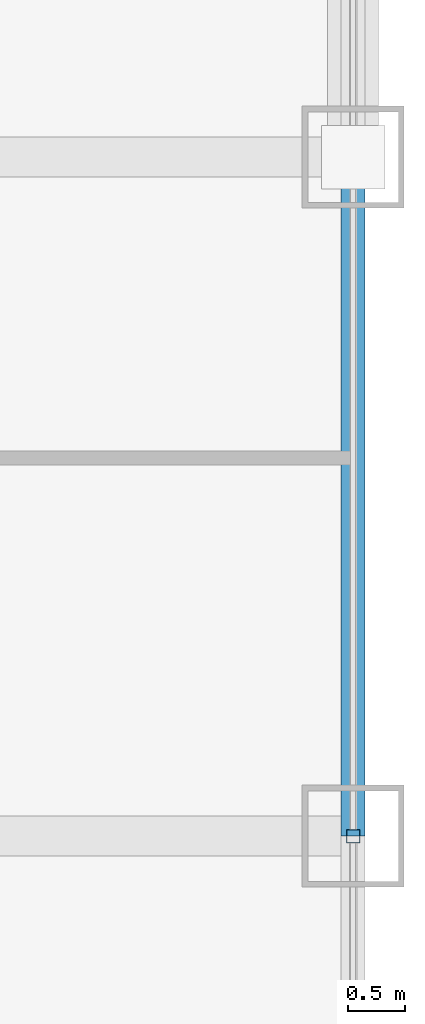
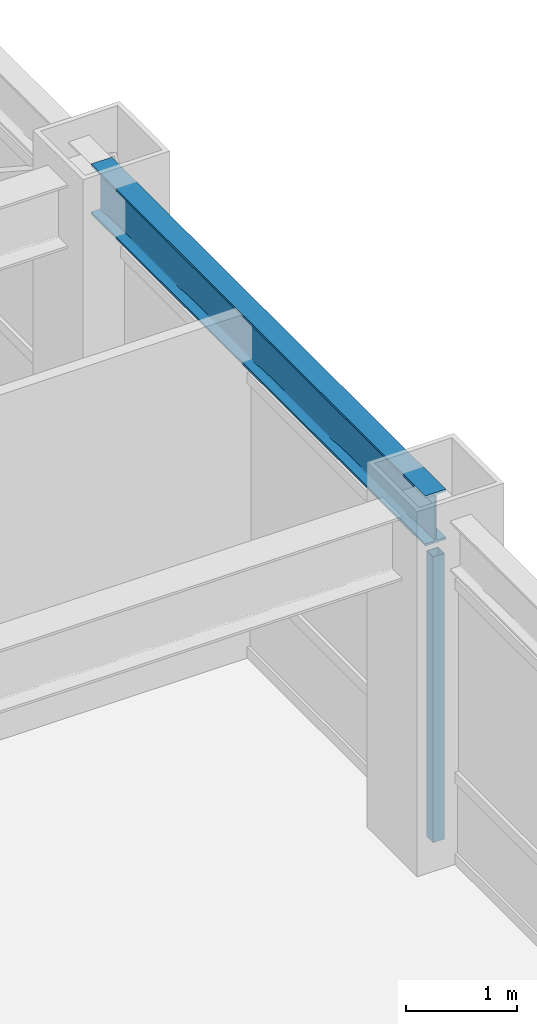
# One storey, part 10 of 22: 1 beam, 1 member, 1 element without a shape of its own.
"""IFC4 building model written with IfcOpenShell, lengths in metres."""

from ifc_helpers import new_model, si_unit, direction, frame, origin, origin_2d, place, context, subcontext, project, spatial, hollow_rectangle, i_section, extrude, source, transform, mapped, material, material_profile, profile_set, type_object, element, aggregate, save


model = new_model("IFC4")

# Units and contexts
model_context = context("Model", 3, precision=1e-05, world=origin(), true_north=direction((0.0, 1.0)))
body_context = subcontext(model_context, "Body", "Model", "MODEL_VIEW")
ifc_project = project(units=[si_unit("LENGTHUNIT", "METRE"), si_unit("AREAUNIT", "SQUARE_METRE"), si_unit("VOLUMEUNIT", "CUBIC_METRE"), si_unit("PLANEANGLEUNIT", "RADIAN"), si_unit("MASSUNIT", "GRAM", prefix="KILO")], contexts=[model_context])

# Site, building, storey
site_placement = place(None, origin())
site = spatial("IfcSite", under=ifc_project, at=site_placement, CompositionType="ELEMENT")
building_placement = place(site_placement, origin())
building = spatial("IfcBuilding", under=site, at=building_placement, Name="Khorayat Bourse Tower", CompositionType="ELEMENT")
storey_placement = place(building_placement, frame((0.0, 0.0, 309.5)))
storey = spatial("IfcBuildingStorey", under=building, at=storey_placement, Name="L73", CompositionType="ELEMENT", Elevation=309.5)

# Beam
ifc_material_1 = material(Name="Steel ASTM A992 Grade 50", Category="steel")
ifc_material_profile_1 = material_profile(ifc_material_1, i_section(OverallWidth=0.214111328125, OverallDepth=0.549072265625, WebThickness=0.0146484375, FlangeThickness=0.023681640625, FilletRadius=0.013916015625, at=origin_2d()), Name="W530X138")
ifc_profile_set_1 = profile_set([ifc_material_profile_1], Name="Steel ASTM A992 Grade 50")
beam_type = type_object("IfcBeamType", Name="BM-SPAN-530", PredefinedType="SPANDREL", material=ifc_profile_set_1)
shared_shape_1 = source(origin(), body_context, "Body", "SweptSolid", [
    extrude(i_section(OverallWidth=0.214111328125, OverallDepth=0.549072265625, WebThickness=0.0146484375, FlangeThickness=0.023681640625, FilletRadius=0.013916015625, at=origin_2d()), origin(), (0.0, 0.0, 1.0), 6.0),
])
beam_placement = place(storey_placement, frame((28.0, 0.0, 3.505615234375), z_axis=(0.0, 1.0, 0.0), x_axis=(-1.0, 0.0, 0.0)))
element("IfcBeam", 1, at=beam_placement, inside=storey, type_object=beam_type, Name="L73 BM-SPAN-530 BM-L73-SPN-038", PredefinedType="SPANDREL", context=body_context, shape_type="MappedRepresentation", body=[
    mapped(shared_shape_1, transform((0.0, 0.0, 0.0), scale=1.0)),
])

# Curtain wall, member
ifc_material_2 = material(Name="Aluminium EN AW-6063 T6", Category="aluminium")
curtain_wall_type = type_object("IfcCurtainWallType", Name="CW-SYS-04", PredefinedType="NOTDEFINED", material=ifc_material_2)
curtain_wall_placement = place(storey_placement, origin())
curtain_wall = element("IfcCurtainWall", 2, at=curtain_wall_placement, inside=storey, type_object=curtain_wall_type, Name="L73 Curtain Wall CW-L73-E1", PredefinedType="NOTDEFINED")
ifc_material_profile_2 = material_profile(ifc_material_2, hollow_rectangle(XDim=0.1201171875, YDim=0.1201171875, WallThickness=0.0048828125, at=origin_2d()), Name="ALU 120x120x5")
ifc_profile_set_2 = profile_set([ifc_material_profile_2], Name="Aluminium EN AW-6063 T6")
member_type = type_object("IfcMemberType", Name="CWM-VERT-120", PredefinedType="MULLION", material=ifc_profile_set_2)
shared_shape_2 = source(origin(), body_context, "Body", "SweptSolid", [
    extrude(hollow_rectangle(XDim=0.1201171875, YDim=0.1201171875, WallThickness=0.0048828125, at=origin_2d()), origin(), (0.0, 0.0, 1.0), 3.1298828125),
])
member_placement = place(storey_placement, frame((28.0, 0.0, 0.0), z_axis=(0.0, 0.0, 1.0), x_axis=(-1.0, 0.0, 0.0)))
member = element("IfcMember", 3, at=member_placement, type_object=member_type, Name="CW-L73-E1 Vertical Mullion 2", PredefinedType="MULLION", context=body_context, shape_type="MappedRepresentation", body=[
    mapped(shared_shape_2, transform((0.0, 0.0, 0.0), scale=1.0)),
])
aggregate(curtain_wall, [member])

save(model, "model.ifc")
